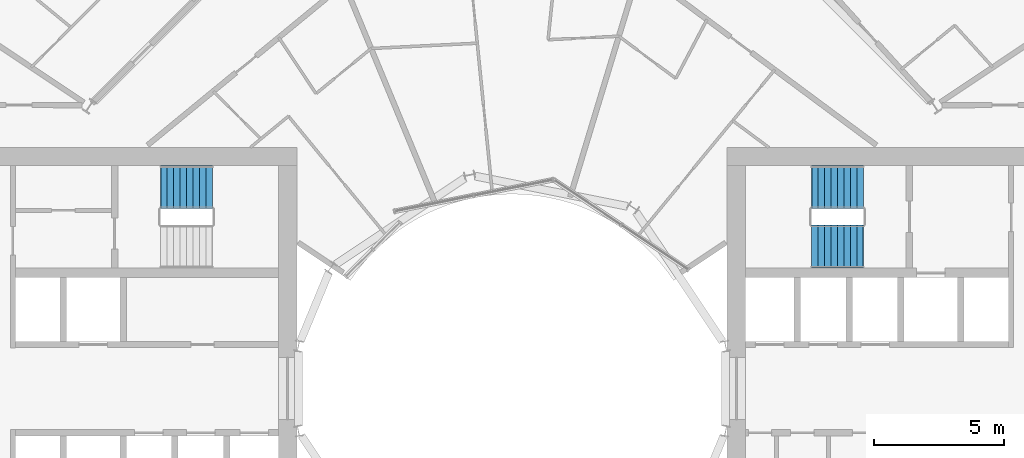
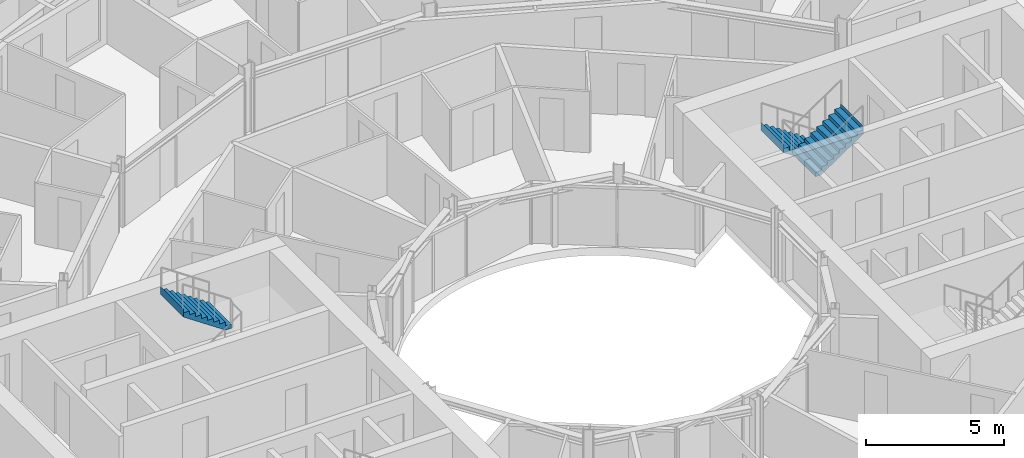
# One storey, part 24 of 26: 3 stair flights, 2 elements without a shape of their own.
"""IFC4 building model written with IfcOpenShell, lengths in metres."""

from ifc_helpers import new_model, si_unit, direction, frame, origin, place, context, subcontext, project, spatial, triangles, material, type_object, element, aggregate, save


model = new_model("IFC4")

# Units and contexts
model_context = context("Model", 3, precision=1e-05, world=origin(), true_north=direction((0.0, 1.0)))
body_context = subcontext(model_context, "Body", "Model", "MODEL_VIEW")
ifc_project = project(units=[si_unit("LENGTHUNIT", "METRE"), si_unit("AREAUNIT", "SQUARE_METRE"), si_unit("VOLUMEUNIT", "CUBIC_METRE"), si_unit("PLANEANGLEUNIT", "RADIAN"), si_unit("MASSUNIT", "GRAM", prefix="KILO")], contexts=[model_context])

# Site, building, storey
site_placement = place(None, origin())
site = spatial("IfcSite", under=ifc_project, at=site_placement, CompositionType="ELEMENT")
building_placement = place(site_placement, origin())
building = spatial("IfcBuilding", under=site, at=building_placement, Name="Maasbend Ring Residences", CompositionType="ELEMENT")
storey_placement = place(building_placement, frame((0.0, 0.0, 72.75)))
storey = spatial("IfcBuildingStorey", under=building, at=storey_placement, Name="L20", CompositionType="ELEMENT", Elevation=72.75)

# Stair, stair flights
ifc_material_1 = material(Name="Concrete C40/50", Category="concrete")
stair_type = type_object("IfcStairType", Name="CORE STAIR 18 RISERS", PredefinedType="HALF_TURN_STAIR", material=ifc_material_1)
stair_1_placement = place(storey_placement, origin())
stair_1 = element("IfcStair", 1, at=stair_1_placement, inside=storey, type_object=stair_type, Name="L20 Exit stair ST-E1", PredefinedType="HALF_TURN_STAIR")
ifc_material_2 = material(Name="Concrete C40/50", Category="concrete")
stair_flight_type = type_object("IfcStairFlightType", Name="CORE STAIR FLIGHT 1650", PredefinedType="STRAIGHT", material=ifc_material_2)
stair_flight_1_placement = place(storey_placement, frame((13.550048828125, 7.77490234375, 0.0), z_axis=(0.0, 0.0, 1.0), x_axis=(-1.0, 0.0, 0.0)))
stair_flight_1 = element("IfcStairFlight", 2, at=stair_flight_1_placement, type_object=stair_flight_type, Name="ST-E1 flight 1", NumberOfRisers=9, NumberOfTreads=8, PredefinedType="STRAIGHT", RiserHeight=0.169444444, TreadLength=0.25, context=body_context, shape_type="Tessellation", body=[
    triangles([(0.24072265625, 0.824951171875, -0.02001953125), (2.0029296875, 0.824951171875, 1.174560546875), (2.0029296875, 0.824951171875, 1.52490234375), (1.989990234375, 0.824951171875, 1.35546875), (1.75, 0.824951171875, 1.35546875), (1.75, 0.824951171875, 1.18603515625), (1.5, 0.824951171875, 1.18603515625), (1.5, 0.824951171875, 1.0166015625), (1.25, 0.824951171875, 1.0166015625), (1.25, 0.824951171875, 0.84716796875), (1.0, 0.824951171875, 0.84716796875), (1.0, 0.824951171875, 0.677734375), (0.75, 0.824951171875, 0.677734375), (0.75, 0.824951171875, 0.50830078125), (0.5, 0.824951171875, 0.50830078125), (0.5, 0.824951171875, 0.3388671875), (0.25, 0.824951171875, 0.3388671875), (0.25, 0.824951171875, 0.16943359375), (0.0, 0.824951171875, 0.16943359375), (0.0, 0.824951171875, 0.0), (-0.0029296875, 0.824951171875, 0.0), (-0.0029296875, 0.824951171875, -0.02001953125), (0.24072265625, 0.27490234375, -0.02001953125), (2.0029296875, 0.27490234375, 1.174560546875), (2.0029296875, 0.27490234375, 1.52490234375), (1.989990234375, 0.27490234375, 1.35546875), (1.75, 0.27490234375, 1.35546875), (1.75, 0.27490234375, 1.18603515625), (1.5, 0.27490234375, 1.18603515625), (1.5, 0.27490234375, 1.0166015625), (1.25, 0.27490234375, 1.0166015625), (1.25, 0.27490234375, 0.84716796875), (1.0, 0.27490234375, 0.84716796875), (1.0, 0.27490234375, 0.677734375), (0.75, 0.27490234375, 0.677734375), (0.75, 0.27490234375, 0.50830078125), (0.5, 0.27490234375, 0.50830078125), (0.5, 0.27490234375, 0.3388671875), (0.25, 0.27490234375, 0.3388671875), (0.25, 0.27490234375, 0.16943359375), (0.0, 0.27490234375, 0.16943359375), (0.0, 0.27490234375, 0.0), (-0.0029296875, 0.27490234375, 0.0), (-0.0029296875, 0.27490234375, -0.02001953125), (0.24072265625, -0.27490234375, -0.02001953125), (2.0029296875, -0.27490234375, 1.174560546875), (2.0029296875, -0.27490234375, 1.52490234375), (1.989990234375, -0.27490234375, 1.35546875), (1.75, -0.27490234375, 1.35546875), (1.75, -0.27490234375, 1.18603515625), (1.5, -0.27490234375, 1.18603515625), (1.5, -0.27490234375, 1.0166015625), (1.25, -0.27490234375, 1.0166015625), (1.25, -0.27490234375, 0.84716796875), (1.0, -0.27490234375, 0.84716796875), (1.0, -0.27490234375, 0.677734375), (0.75, -0.27490234375, 0.677734375), (0.75, -0.27490234375, 0.50830078125), (0.5, -0.27490234375, 0.50830078125), (0.5, -0.27490234375, 0.3388671875), (0.25, -0.27490234375, 0.3388671875), (0.25, -0.27490234375, 0.16943359375), (0.0, -0.27490234375, 0.16943359375), (0.0, -0.27490234375, 0.0), (-0.0029296875, -0.27490234375, 0.0), (-0.0029296875, -0.27490234375, -0.02001953125), (0.24072265625, -0.824951171875, -0.02001953125), (2.0029296875, -0.824951171875, 1.174560546875), (2.0029296875, -0.824951171875, 1.52490234375), (1.989990234375, -0.824951171875, 1.35546875), (1.75, -0.824951171875, 1.35546875), (1.75, -0.824951171875, 1.18603515625), (1.5, -0.824951171875, 1.18603515625), (1.5, -0.824951171875, 1.0166015625), (1.25, -0.824951171875, 1.0166015625), (1.25, -0.824951171875, 0.84716796875), (1.0, -0.824951171875, 0.84716796875), (1.0, -0.824951171875, 0.677734375), (0.75, -0.824951171875, 0.677734375), (0.75, -0.824951171875, 0.50830078125), (0.5, -0.824951171875, 0.50830078125), (0.5, -0.824951171875, 0.3388671875), (0.25, -0.824951171875, 0.3388671875), (0.25, -0.824951171875, 0.16943359375), (0.0, -0.824951171875, 0.16943359375), (0.0, -0.824951171875, 0.0), (-0.0029296875, -0.824951171875, 0.0), (-0.0029296875, -0.824951171875, -0.02001953125)], [[1, 2, 24], [1, 24, 23], [23, 24, 46], [23, 46, 45], [45, 46, 68], [45, 68, 67], [2, 3, 25], [2, 25, 24], [24, 25, 47], [24, 47, 46], [46, 47, 69], [46, 69, 68], [3, 4, 26], [3, 26, 25], [25, 26, 48], [25, 48, 47], [47, 48, 70], [47, 70, 69], [4, 5, 27], [4, 27, 26], [26, 27, 49], [26, 49, 48], [48, 49, 71], [48, 71, 70], [5, 6, 28], [5, 28, 27], [27, 28, 50], [27, 50, 49], [49, 50, 72], [49, 72, 71], [6, 7, 29], [6, 29, 28], [28, 29, 51], [28, 51, 50], [50, 51, 73], [50, 73, 72], [7, 8, 30], [7, 30, 29], [29, 30, 52], [29, 52, 51], [51, 52, 74], [51, 74, 73], [8, 9, 31], [8, 31, 30], [30, 31, 53], [30, 53, 52], [52, 53, 75], [52, 75, 74], [9, 10, 32], [9, 32, 31], [31, 32, 54], [31, 54, 53], [53, 54, 76], [53, 76, 75], [10, 11, 33], [10, 33, 32], [32, 33, 55], [32, 55, 54], [54, 55, 77], [54, 77, 76], [11, 12, 34], [11, 34, 33], [33, 34, 56], [33, 56, 55], [55, 56, 78], [55, 78, 77], [12, 13, 35], [12, 35, 34], [34, 35, 57], [34, 57, 56], [56, 57, 79], [56, 79, 78], [13, 14, 36], [13, 36, 35], [35, 36, 58], [35, 58, 57], [57, 58, 80], [57, 80, 79], [14, 15, 37], [14, 37, 36], [36, 37, 59], [36, 59, 58], [58, 59, 81], [58, 81, 80], [15, 16, 38], [15, 38, 37], [37, 38, 60], [37, 60, 59], [59, 60, 82], [59, 82, 81], [16, 17, 39], [16, 39, 38], [38, 39, 61], [38, 61, 60], [60, 61, 83], [60, 83, 82], [17, 18, 40], [17, 40, 39], [39, 40, 62], [39, 62, 61], [61, 62, 84], [61, 84, 83], [18, 19, 41], [18, 41, 40], [40, 41, 63], [40, 63, 62], [62, 63, 85], [62, 85, 84], [19, 20, 42], [19, 42, 41], [41, 42, 64], [41, 64, 63], [63, 64, 86], [63, 86, 85], [20, 21, 43], [20, 43, 42], [42, 43, 65], [42, 65, 64], [64, 65, 87], [64, 87, 86], [21, 22, 44], [21, 44, 43], [43, 44, 66], [43, 66, 65], [65, 66, 88], [65, 88, 87], [22, 1, 23], [22, 23, 44], [44, 23, 45], [44, 45, 66], [66, 45, 67], [66, 67, 88], [22, 2, 1], [2, 4, 3], [2, 5, 4], [2, 6, 5], [22, 6, 2], [6, 8, 7], [22, 8, 6], [8, 10, 9], [22, 10, 8], [10, 12, 11], [22, 12, 10], [12, 14, 13], [22, 14, 12], [14, 16, 15], [22, 16, 14], [16, 18, 17], [22, 18, 16], [18, 20, 19], [22, 20, 18], [20, 22, 21], [88, 67, 68], [68, 69, 70], [68, 70, 71], [68, 71, 72], [88, 68, 72], [72, 73, 74], [88, 72, 74], [74, 75, 76], [88, 74, 76], [76, 77, 78], [88, 76, 78], [78, 79, 80], [88, 78, 80], [80, 81, 82], [88, 80, 82], [82, 83, 84], [88, 82, 84], [84, 85, 86], [88, 84, 86], [86, 87, 88]], closed=True),
])
stair_flight_2_placement = place(storey_placement, frame((11.550048828125, 5.47509765625, 1.52490234375), z_axis=(0.0, 0.0, 1.0), x_axis=(1.0, 0.0, 0.0)))
stair_flight_2 = element("IfcStairFlight", 3, at=stair_flight_2_placement, type_object=stair_flight_type, Name="ST-E1 flight 2", NumberOfRisers=9, NumberOfTreads=8, PredefinedType="STRAIGHT", RiserHeight=0.169444444, TreadLength=0.25, context=body_context, shape_type="Tessellation", body=[
    triangles([(0.24072265625, 0.824951171875, -0.02001953125), (2.0029296875, 0.824951171875, 1.174560546875), (2.0029296875, 0.824951171875, 1.52490234375), (1.989990234375, 0.824951171875, 1.35546875), (1.75, 0.824951171875, 1.35546875), (1.75, 0.824951171875, 1.18603515625), (1.5, 0.824951171875, 1.18603515625), (1.5, 0.824951171875, 1.0166015625), (1.25, 0.824951171875, 1.0166015625), (1.25, 0.824951171875, 0.84716796875), (1.0, 0.824951171875, 0.84716796875), (1.0, 0.824951171875, 0.677734375), (0.75, 0.824951171875, 0.677734375), (0.75, 0.824951171875, 0.50830078125), (0.5, 0.824951171875, 0.50830078125), (0.5, 0.824951171875, 0.3388671875), (0.25, 0.824951171875, 0.3388671875), (0.25, 0.824951171875, 0.16943359375), (0.0, 0.824951171875, 0.16943359375), (0.0, 0.824951171875, 0.0), (-0.0029296875, 0.824951171875, 0.0), (-0.0029296875, 0.824951171875, -0.02001953125), (0.24072265625, 0.27490234375, -0.02001953125), (2.0029296875, 0.27490234375, 1.174560546875), (2.0029296875, 0.27490234375, 1.52490234375), (1.989990234375, 0.27490234375, 1.35546875), (1.75, 0.27490234375, 1.35546875), (1.75, 0.27490234375, 1.18603515625), (1.5, 0.27490234375, 1.18603515625), (1.5, 0.27490234375, 1.0166015625), (1.25, 0.27490234375, 1.0166015625), (1.25, 0.27490234375, 0.84716796875), (1.0, 0.27490234375, 0.84716796875), (1.0, 0.27490234375, 0.677734375), (0.75, 0.27490234375, 0.677734375), (0.75, 0.27490234375, 0.50830078125), (0.5, 0.27490234375, 0.50830078125), (0.5, 0.27490234375, 0.3388671875), (0.25, 0.27490234375, 0.3388671875), (0.25, 0.27490234375, 0.16943359375), (0.0, 0.27490234375, 0.16943359375), (0.0, 0.27490234375, 0.0), (-0.0029296875, 0.27490234375, 0.0), (-0.0029296875, 0.27490234375, -0.02001953125), (0.24072265625, -0.27490234375, -0.02001953125), (2.0029296875, -0.27490234375, 1.174560546875), (2.0029296875, -0.27490234375, 1.52490234375), (1.989990234375, -0.27490234375, 1.35546875), (1.75, -0.27490234375, 1.35546875), (1.75, -0.27490234375, 1.18603515625), (1.5, -0.27490234375, 1.18603515625), (1.5, -0.27490234375, 1.0166015625), (1.25, -0.27490234375, 1.0166015625), (1.25, -0.27490234375, 0.84716796875), (1.0, -0.27490234375, 0.84716796875), (1.0, -0.27490234375, 0.677734375), (0.75, -0.27490234375, 0.677734375), (0.75, -0.27490234375, 0.50830078125), (0.5, -0.27490234375, 0.50830078125), (0.5, -0.27490234375, 0.3388671875), (0.25, -0.27490234375, 0.3388671875), (0.25, -0.27490234375, 0.16943359375), (0.0, -0.27490234375, 0.16943359375), (0.0, -0.27490234375, 0.0), (-0.0029296875, -0.27490234375, 0.0), (-0.0029296875, -0.27490234375, -0.02001953125), (0.24072265625, -0.824951171875, -0.02001953125), (2.0029296875, -0.824951171875, 1.174560546875), (2.0029296875, -0.824951171875, 1.52490234375), (1.989990234375, -0.824951171875, 1.35546875), (1.75, -0.824951171875, 1.35546875), (1.75, -0.824951171875, 1.18603515625), (1.5, -0.824951171875, 1.18603515625), (1.5, -0.824951171875, 1.0166015625), (1.25, -0.824951171875, 1.0166015625), (1.25, -0.824951171875, 0.84716796875), (1.0, -0.824951171875, 0.84716796875), (1.0, -0.824951171875, 0.677734375), (0.75, -0.824951171875, 0.677734375), (0.75, -0.824951171875, 0.50830078125), (0.5, -0.824951171875, 0.50830078125), (0.5, -0.824951171875, 0.3388671875), (0.25, -0.824951171875, 0.3388671875), (0.25, -0.824951171875, 0.16943359375), (0.0, -0.824951171875, 0.16943359375), (0.0, -0.824951171875, 0.0), (-0.0029296875, -0.824951171875, 0.0), (-0.0029296875, -0.824951171875, -0.02001953125)], [[1, 2, 24], [1, 24, 23], [23, 24, 46], [23, 46, 45], [45, 46, 68], [45, 68, 67], [2, 3, 25], [2, 25, 24], [24, 25, 47], [24, 47, 46], [46, 47, 69], [46, 69, 68], [3, 4, 26], [3, 26, 25], [25, 26, 48], [25, 48, 47], [47, 48, 70], [47, 70, 69], [4, 5, 27], [4, 27, 26], [26, 27, 49], [26, 49, 48], [48, 49, 71], [48, 71, 70], [5, 6, 28], [5, 28, 27], [27, 28, 50], [27, 50, 49], [49, 50, 72], [49, 72, 71], [6, 7, 29], [6, 29, 28], [28, 29, 51], [28, 51, 50], [50, 51, 73], [50, 73, 72], [7, 8, 30], [7, 30, 29], [29, 30, 52], [29, 52, 51], [51, 52, 74], [51, 74, 73], [8, 9, 31], [8, 31, 30], [30, 31, 53], [30, 53, 52], [52, 53, 75], [52, 75, 74], [9, 10, 32], [9, 32, 31], [31, 32, 54], [31, 54, 53], [53, 54, 76], [53, 76, 75], [10, 11, 33], [10, 33, 32], [32, 33, 55], [32, 55, 54], [54, 55, 77], [54, 77, 76], [11, 12, 34], [11, 34, 33], [33, 34, 56], [33, 56, 55], [55, 56, 78], [55, 78, 77], [12, 13, 35], [12, 35, 34], [34, 35, 57], [34, 57, 56], [56, 57, 79], [56, 79, 78], [13, 14, 36], [13, 36, 35], [35, 36, 58], [35, 58, 57], [57, 58, 80], [57, 80, 79], [14, 15, 37], [14, 37, 36], [36, 37, 59], [36, 59, 58], [58, 59, 81], [58, 81, 80], [15, 16, 38], [15, 38, 37], [37, 38, 60], [37, 60, 59], [59, 60, 82], [59, 82, 81], [16, 17, 39], [16, 39, 38], [38, 39, 61], [38, 61, 60], [60, 61, 83], [60, 83, 82], [17, 18, 40], [17, 40, 39], [39, 40, 62], [39, 62, 61], [61, 62, 84], [61, 84, 83], [18, 19, 41], [18, 41, 40], [40, 41, 63], [40, 63, 62], [62, 63, 85], [62, 85, 84], [19, 20, 42], [19, 42, 41], [41, 42, 64], [41, 64, 63], [63, 64, 86], [63, 86, 85], [20, 21, 43], [20, 43, 42], [42, 43, 65], [42, 65, 64], [64, 65, 87], [64, 87, 86], [21, 22, 44], [21, 44, 43], [43, 44, 66], [43, 66, 65], [65, 66, 88], [65, 88, 87], [22, 1, 23], [22, 23, 44], [44, 23, 45], [44, 45, 66], [66, 45, 67], [66, 67, 88], [22, 2, 1], [2, 4, 3], [2, 5, 4], [2, 6, 5], [22, 6, 2], [6, 8, 7], [22, 8, 6], [8, 10, 9], [22, 10, 8], [10, 12, 11], [22, 12, 10], [12, 14, 13], [22, 14, 12], [14, 16, 15], [22, 16, 14], [16, 18, 17], [22, 18, 16], [18, 20, 19], [22, 20, 18], [20, 22, 21], [88, 67, 68], [68, 69, 70], [68, 70, 71], [68, 71, 72], [88, 68, 72], [72, 73, 74], [88, 72, 74], [74, 75, 76], [88, 74, 76], [76, 77, 78], [88, 76, 78], [78, 79, 80], [88, 78, 80], [80, 81, 82], [88, 80, 82], [82, 83, 84], [88, 82, 84], [84, 85, 86], [88, 84, 86], [86, 87, 88]], closed=True),
])
aggregate(stair_1, [stair_flight_1, stair_flight_2])

# Stair, stair flight
stair_2_placement = place(storey_placement, origin())
stair_2 = element("IfcStair", 4, at=stair_2_placement, inside=storey, type_object=stair_type, Name="L20 Exit stair ST-W2", PredefinedType="HALF_TURN_STAIR")
stair_flight_3_placement = place(storey_placement, frame((-11.550048828125, 7.77490234375, 1.52490234375), z_axis=(0.0, 0.0, 1.0), x_axis=(-1.0, 0.0, 0.0)))
stair_flight_3 = element("IfcStairFlight", 5, at=stair_flight_3_placement, type_object=stair_flight_type, Name="ST-W2 flight 2", NumberOfRisers=9, NumberOfTreads=8, PredefinedType="STRAIGHT", RiserHeight=0.169444444, TreadLength=0.25, context=body_context, shape_type="Tessellation", body=[
    triangles([(0.24072265625, 0.824951171875, -0.02001953125), (2.0029296875, 0.824951171875, 1.174560546875), (2.0029296875, 0.824951171875, 1.52490234375), (1.989990234375, 0.824951171875, 1.35546875), (1.75, 0.824951171875, 1.35546875), (1.75, 0.824951171875, 1.18603515625), (1.5, 0.824951171875, 1.18603515625), (1.5, 0.824951171875, 1.0166015625), (1.25, 0.824951171875, 1.0166015625), (1.25, 0.824951171875, 0.84716796875), (1.0, 0.824951171875, 0.84716796875), (1.0, 0.824951171875, 0.677734375), (0.75, 0.824951171875, 0.677734375), (0.75, 0.824951171875, 0.50830078125), (0.5, 0.824951171875, 0.50830078125), (0.5, 0.824951171875, 0.3388671875), (0.25, 0.824951171875, 0.3388671875), (0.25, 0.824951171875, 0.16943359375), (0.0, 0.824951171875, 0.16943359375), (0.0, 0.824951171875, 0.0), (-0.0029296875, 0.824951171875, 0.0), (-0.0029296875, 0.824951171875, -0.02001953125), (0.24072265625, 0.27490234375, -0.02001953125), (2.0029296875, 0.27490234375, 1.174560546875), (2.0029296875, 0.27490234375, 1.52490234375), (1.989990234375, 0.27490234375, 1.35546875), (1.75, 0.27490234375, 1.35546875), (1.75, 0.27490234375, 1.18603515625), (1.5, 0.27490234375, 1.18603515625), (1.5, 0.27490234375, 1.0166015625), (1.25, 0.27490234375, 1.0166015625), (1.25, 0.27490234375, 0.84716796875), (1.0, 0.27490234375, 0.84716796875), (1.0, 0.27490234375, 0.677734375), (0.75, 0.27490234375, 0.677734375), (0.75, 0.27490234375, 0.50830078125), (0.5, 0.27490234375, 0.50830078125), (0.5, 0.27490234375, 0.3388671875), (0.25, 0.27490234375, 0.3388671875), (0.25, 0.27490234375, 0.16943359375), (0.0, 0.27490234375, 0.16943359375), (0.0, 0.27490234375, 0.0), (-0.0029296875, 0.27490234375, 0.0), (-0.0029296875, 0.27490234375, -0.02001953125), (0.24072265625, -0.27490234375, -0.02001953125), (2.0029296875, -0.27490234375, 1.174560546875), (2.0029296875, -0.27490234375, 1.52490234375), (1.989990234375, -0.27490234375, 1.35546875), (1.75, -0.27490234375, 1.35546875), (1.75, -0.27490234375, 1.18603515625), (1.5, -0.27490234375, 1.18603515625), (1.5, -0.27490234375, 1.0166015625), (1.25, -0.27490234375, 1.0166015625), (1.25, -0.27490234375, 0.84716796875), (1.0, -0.27490234375, 0.84716796875), (1.0, -0.27490234375, 0.677734375), (0.75, -0.27490234375, 0.677734375), (0.75, -0.27490234375, 0.50830078125), (0.5, -0.27490234375, 0.50830078125), (0.5, -0.27490234375, 0.3388671875), (0.25, -0.27490234375, 0.3388671875), (0.25, -0.27490234375, 0.16943359375), (0.0, -0.27490234375, 0.16943359375), (0.0, -0.27490234375, 0.0), (-0.0029296875, -0.27490234375, 0.0), (-0.0029296875, -0.27490234375, -0.02001953125), (0.24072265625, -0.824951171875, -0.02001953125), (2.0029296875, -0.824951171875, 1.174560546875), (2.0029296875, -0.824951171875, 1.52490234375), (1.989990234375, -0.824951171875, 1.35546875), (1.75, -0.824951171875, 1.35546875), (1.75, -0.824951171875, 1.18603515625), (1.5, -0.824951171875, 1.18603515625), (1.5, -0.824951171875, 1.0166015625), (1.25, -0.824951171875, 1.0166015625), (1.25, -0.824951171875, 0.84716796875), (1.0, -0.824951171875, 0.84716796875), (1.0, -0.824951171875, 0.677734375), (0.75, -0.824951171875, 0.677734375), (0.75, -0.824951171875, 0.50830078125), (0.5, -0.824951171875, 0.50830078125), (0.5, -0.824951171875, 0.3388671875), (0.25, -0.824951171875, 0.3388671875), (0.25, -0.824951171875, 0.16943359375), (0.0, -0.824951171875, 0.16943359375), (0.0, -0.824951171875, 0.0), (-0.0029296875, -0.824951171875, 0.0), (-0.0029296875, -0.824951171875, -0.02001953125)], [[1, 2, 24], [1, 24, 23], [23, 24, 46], [23, 46, 45], [45, 46, 68], [45, 68, 67], [2, 3, 25], [2, 25, 24], [24, 25, 47], [24, 47, 46], [46, 47, 69], [46, 69, 68], [3, 4, 26], [3, 26, 25], [25, 26, 48], [25, 48, 47], [47, 48, 70], [47, 70, 69], [4, 5, 27], [4, 27, 26], [26, 27, 49], [26, 49, 48], [48, 49, 71], [48, 71, 70], [5, 6, 28], [5, 28, 27], [27, 28, 50], [27, 50, 49], [49, 50, 72], [49, 72, 71], [6, 7, 29], [6, 29, 28], [28, 29, 51], [28, 51, 50], [50, 51, 73], [50, 73, 72], [7, 8, 30], [7, 30, 29], [29, 30, 52], [29, 52, 51], [51, 52, 74], [51, 74, 73], [8, 9, 31], [8, 31, 30], [30, 31, 53], [30, 53, 52], [52, 53, 75], [52, 75, 74], [9, 10, 32], [9, 32, 31], [31, 32, 54], [31, 54, 53], [53, 54, 76], [53, 76, 75], [10, 11, 33], [10, 33, 32], [32, 33, 55], [32, 55, 54], [54, 55, 77], [54, 77, 76], [11, 12, 34], [11, 34, 33], [33, 34, 56], [33, 56, 55], [55, 56, 78], [55, 78, 77], [12, 13, 35], [12, 35, 34], [34, 35, 57], [34, 57, 56], [56, 57, 79], [56, 79, 78], [13, 14, 36], [13, 36, 35], [35, 36, 58], [35, 58, 57], [57, 58, 80], [57, 80, 79], [14, 15, 37], [14, 37, 36], [36, 37, 59], [36, 59, 58], [58, 59, 81], [58, 81, 80], [15, 16, 38], [15, 38, 37], [37, 38, 60], [37, 60, 59], [59, 60, 82], [59, 82, 81], [16, 17, 39], [16, 39, 38], [38, 39, 61], [38, 61, 60], [60, 61, 83], [60, 83, 82], [17, 18, 40], [17, 40, 39], [39, 40, 62], [39, 62, 61], [61, 62, 84], [61, 84, 83], [18, 19, 41], [18, 41, 40], [40, 41, 63], [40, 63, 62], [62, 63, 85], [62, 85, 84], [19, 20, 42], [19, 42, 41], [41, 42, 64], [41, 64, 63], [63, 64, 86], [63, 86, 85], [20, 21, 43], [20, 43, 42], [42, 43, 65], [42, 65, 64], [64, 65, 87], [64, 87, 86], [21, 22, 44], [21, 44, 43], [43, 44, 66], [43, 66, 65], [65, 66, 88], [65, 88, 87], [22, 1, 23], [22, 23, 44], [44, 23, 45], [44, 45, 66], [66, 45, 67], [66, 67, 88], [22, 2, 1], [2, 4, 3], [2, 5, 4], [2, 6, 5], [22, 6, 2], [6, 8, 7], [22, 8, 6], [8, 10, 9], [22, 10, 8], [10, 12, 11], [22, 12, 10], [12, 14, 13], [22, 14, 12], [14, 16, 15], [22, 16, 14], [16, 18, 17], [22, 18, 16], [18, 20, 19], [22, 20, 18], [20, 22, 21], [88, 67, 68], [68, 69, 70], [68, 70, 71], [68, 71, 72], [88, 68, 72], [72, 73, 74], [88, 72, 74], [74, 75, 76], [88, 74, 76], [76, 77, 78], [88, 76, 78], [78, 79, 80], [88, 78, 80], [80, 81, 82], [88, 80, 82], [82, 83, 84], [88, 82, 84], [84, 85, 86], [88, 84, 86], [86, 87, 88]], closed=True),
])
aggregate(stair_2, [stair_flight_3])

save(model, "model.ifc")
